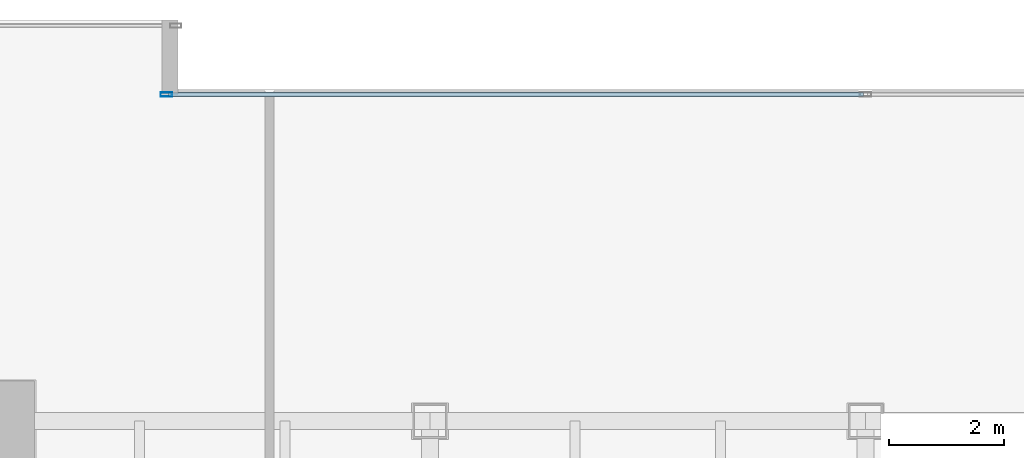
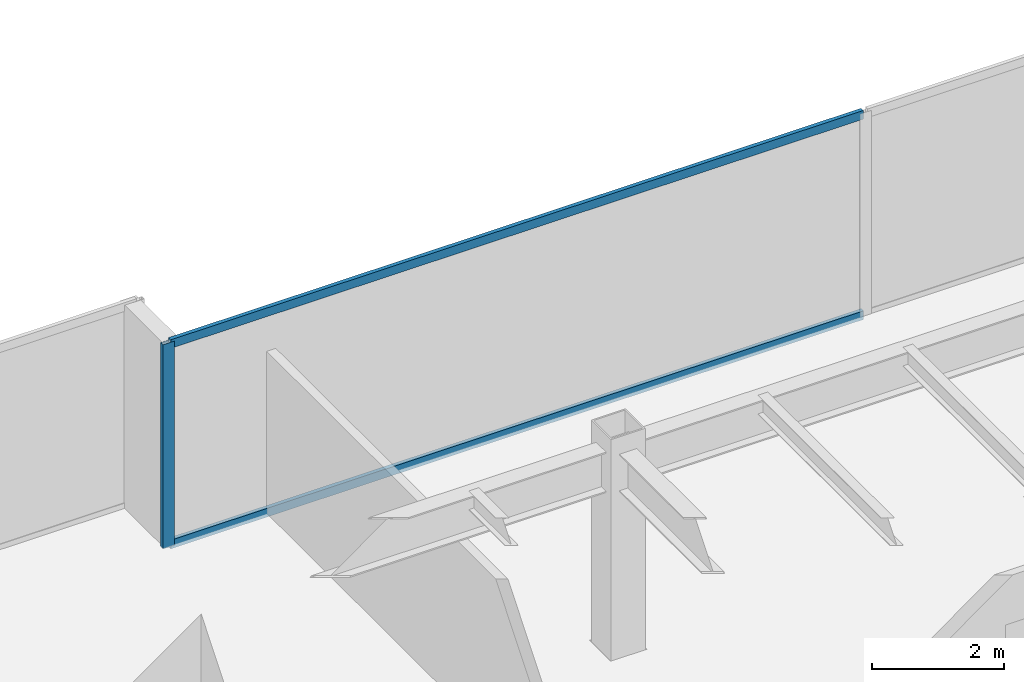
# One storey, part 14 of 36: 3 members, 1 element without a shape of its own.
"""IFC4 building model written with IfcOpenShell, lengths in metres."""

import ifcopenshell
import ifcopenshell.guid

model = None  # the IFC model being written
_history = None  # IfcOwnerHistory: only IFC2X3 demands one
_inside = {}  # id of a spatial element -> (the spatial element, [elements in it])
_under = {}  # id of a project, library or spatial element -> (it, [spatial elements below it])
_declared = {}  # id of a project -> (the project, [libraries it declares])
_typed = {}  # id of a type object -> (the type object, [elements of that type])
_made_of = {}  # id of a material, layer set ... -> (it, [elements and type objects made of it])


def new_model(schema):
    """Start an empty IFC model of exactly this schema.

    Asked for "IFC4X3", IfcOpenShell would pick the latest addendum, in which some entities
    have other attributes; the version numbers below select the first issue.
    IFC2X3 requires an IfcOwnerHistory on every rooted entity: one is made here for all.
    """
    global model, _history
    if schema == "IFC4X3":
        model = ifcopenshell.file(schema_version=(4, 3, 0, 0))
    else:
        model = ifcopenshell.file(schema=schema)
    _inside.clear()
    _under.clear()
    _declared.clear()
    _typed.clear()
    _made_of.clear()
    _history = None
    if model.schema == "IFC2X3":
        org = make("IfcOrganization", Name="unknown")
        user = make(
            "IfcPersonAndOrganization",
            ThePerson=make("IfcPerson", FamilyName="unknown"),
            TheOrganization=org,
        )
        app = make(
            "IfcApplication",
            ApplicationDeveloper=org,
            Version="unknown",
            ApplicationFullName="unknown",
            ApplicationIdentifier="unknown",
        )
        _history = make(
            "IfcOwnerHistory",
            OwningUser=user,
            OwningApplication=app,
            ChangeAction="ADDED",
            CreationDate=0,
        )
    return model


def make(cls, **values):
    """One entity of the class cls with the attributes given. An attribute that is None is left unset."""
    return model.create_entity(
        cls, **{name: value for name, value in values.items() if value is not None}
    )


def rooted(cls, **values):
    """An entity with a GlobalId (a new one), such as an element, a storey or a relation."""
    return make(cls, GlobalId=ifcopenshell.guid.new(), OwnerHistory=_history, **values)


def si_unit(unit_type, name, prefix=None):
    """IfcSIUnit, for example si_unit("LENGTHUNIT", "METRE", prefix="MILLI")."""
    return make("IfcSIUnit", UnitType=unit_type, Prefix=prefix, Name=name)


def assignment(units):
    """IfcUnitAssignment: the units of a project."""
    return None if units is None else make("IfcUnitAssignment", Units=units)


def point(xyz):
    """IfcCartesianPoint."""
    return None if xyz is None else make("IfcCartesianPoint", Coordinates=xyz)


def direction(xyz):
    """IfcDirection."""
    return None if xyz is None else make("IfcDirection", DirectionRatios=xyz)


def frame(location, z_axis=None, x_axis=None):
    """IfcAxis2Placement3D, a coordinate frame: its origin and axes. An axis left out is left unset."""
    return make(
        "IfcAxis2Placement3D",
        Location=point(location),
        Axis=direction(z_axis),
        RefDirection=direction(x_axis),
    )


def frame_2d(location, x_axis=None):
    """IfcAxis2Placement2D, a coordinate frame in the plane: its origin and x axis."""
    return make(
        "IfcAxis2Placement2D", Location=point(location), RefDirection=direction(x_axis)
    )


def origin():
    """The frame at (0, 0, 0) with its axes left unset."""
    return frame((0.0, 0.0, 0.0))


def origin_2d():
    """The frame at (0, 0) in the plane with its x axis left unset."""
    return frame_2d((0.0, 0.0))


def place(relative_to, where):
    """IfcLocalPlacement: puts the frame where relative to a parent placement (None: the world)."""
    return make(
        "IfcLocalPlacement", PlacementRelTo=relative_to, RelativePlacement=where
    )


def context(
    kind, dimensions, precision=None, world=None, true_north=None, identifier=None
):
    """IfcGeometricRepresentationContext, for example the 3D "Model" context."""
    return make(
        "IfcGeometricRepresentationContext",
        ContextIdentifier=identifier,
        ContextType=kind,
        CoordinateSpaceDimension=dimensions,
        Precision=precision,
        WorldCoordinateSystem=world,
        TrueNorth=true_north,
    )


def subcontext(parent, identifier, kind, view, scale=None):
    """IfcGeometricRepresentationSubContext, for example "Body" below "Model"."""
    return make(
        "IfcGeometricRepresentationSubContext",
        ContextIdentifier=identifier,
        ContextType=kind,
        ParentContext=parent,
        TargetScale=scale,
        TargetView=view,
    )


def project(units=None, contexts=None):
    """IfcProject with its units and contexts."""
    return rooted(
        "IfcProject",
        Name="project",
        RepresentationContexts=contexts,
        UnitsInContext=assignment(units),
    )


def spatial(cls, under=None, at=None, **own):
    """A site, building, storey or space (cls), placed at a placement, below another one or the project."""
    s = rooted(cls, ObjectPlacement=at, **own)
    if under is not None:
        _under.setdefault(under.id(), (under, []))[1].append(s)
    return s


def profile(cls, at=None, kind="AREA", **sizes):
    """A parametric profile (cls). Its sizes go by their IFC names, for example OverallWidth=200.0."""
    return make(cls, ProfileType=kind, Position=at, **sizes)


def hollow_rectangle(**sizes):
    """IfcRectangleHollowProfileDef."""
    return profile("IfcRectangleHollowProfileDef", **sizes)


def extrude(swept, where, along, depth):
    """IfcExtrudedAreaSolid: the profile swept, set in the frame where, extruded along a direction by depth."""
    return make(
        "IfcExtrudedAreaSolid",
        SweptArea=swept,
        Position=where,
        ExtrudedDirection=direction(along),
        Depth=depth,
    )


def shape(context_of_items, identifier, shape_type, items):
    """IfcShapeRepresentation: the items that make up one representation, for example the "Body"."""
    return make(
        "IfcShapeRepresentation",
        ContextOfItems=context_of_items,
        RepresentationIdentifier=identifier,
        RepresentationType=shape_type,
        Items=items,
    )


def source(mapping_origin, context_of_items, identifier, shape_type, items):
    """IfcRepresentationMap: a shape defined once, which mapped items show again and again."""
    return make(
        "IfcRepresentationMap",
        MappingOrigin=mapping_origin,
        MappedRepresentation=shape(context_of_items, identifier, shape_type, items),
    )


def transform(
    local_origin,
    x_axis=None,
    y_axis=None,
    z_axis=None,
    scale=None,
    scale2=None,
    scale3=None,
    uniform=True,
):
    """IfcCartesianTransformationOperator3D, or its non-uniform kind. x_axis, y_axis, z_axis: its Axis1, 2, 3."""
    if uniform:
        return make(
            "IfcCartesianTransformationOperator3D",
            Axis1=direction(x_axis),
            Axis2=direction(y_axis),
            LocalOrigin=point(local_origin),
            Scale=scale,
            Axis3=direction(z_axis),
        )
    return make(
        "IfcCartesianTransformationOperator3DnonUniform",
        Axis1=direction(x_axis),
        Axis2=direction(y_axis),
        LocalOrigin=point(local_origin),
        Scale=scale,
        Axis3=direction(z_axis),
        Scale2=scale2,
        Scale3=scale3,
    )


def mapped(mapping_source, mapping_target):
    """IfcMappedItem: shows the shape of a source again, moved by a transform."""
    return make(
        "IfcMappedItem", MappingSource=mapping_source, MappingTarget=mapping_target
    )


def material(Name=None, Category=None):
    """IfcMaterial."""
    return make("IfcMaterial", Name=Name, Category=Category)


def layer(
    of_material, thickness, ventilated=None, Name=None, Category=None, Priority=None
):
    """IfcMaterialLayer: one layer of a wall or slab, of a material (None: an air gap)."""
    return make(
        "IfcMaterialLayer",
        Material=of_material,
        LayerThickness=thickness,
        IsVentilated=ventilated,
        Name=Name,
        Category=Category,
        Priority=Priority,
    )


def layer_set(layers, Name=None):
    """IfcMaterialLayerSet."""
    return make("IfcMaterialLayerSet", MaterialLayers=layers, LayerSetName=Name)


def material_profile(
    of_material, cross_section, Name=None, Category=None, Priority=None
):
    """IfcMaterialProfile: a cross section and its material."""
    return make(
        "IfcMaterialProfile",
        Name=Name,
        Material=of_material,
        Profile=cross_section,
        Priority=Priority,
        Category=Category,
    )


def profile_set(profiles, Name=None, composite=None):
    """IfcMaterialProfileSet."""
    return make(
        "IfcMaterialProfileSet",
        Name=Name,
        MaterialProfiles=profiles,
        CompositeProfile=composite,
    )


def made_of(thing, what):
    """Note that an element or type object is made of a material, layer set ...; save() writes the relation."""
    if what is not None:
        _made_of.setdefault(what.id(), (what, []))[1].append(thing)
    return thing


def type_object(cls, material=None, **own):
    """A type object (cls), such as IfcWallType, which elements share."""
    return made_of(rooted(cls, **own), material)


def type_shapes(of_type, sources):
    """Give a type object the sources (RepresentationMaps) that its elements show as mapped items."""
    of_type.RepresentationMaps = sources


def element(
    cls,
    number,
    at=None,
    inside=None,
    cuts=None,
    type_object=None,
    material=None,
    context=None,
    identifier="Body",
    shape_type=None,
    held_by="IfcProductDefinitionShape",
    body=None,
    shapes=None,
    **own,
):
    """One element of the class cls, such as IfcWall. Its Tag is "e" and its number.

    at: its placement. inside: the storey or other place that contains it. cuts: it is an
    opening in that element (IfcRelVoidsElement). A single representation is given by context,
    identifier, shape_type and body (its items); several are given by shapes. held_by: the class
    of the entity that holds the representations. save() writes the other relations.
    """
    e = rooted(cls, Tag="e%d" % number, ObjectPlacement=at, **own)
    if body is not None:
        shapes = [shape(context, identifier, shape_type, body)]
    if shapes is not None:
        e.Representation = make(held_by, Representations=shapes)
    if inside is not None:
        _inside.setdefault(inside.id(), (inside, []))[1].append(e)
    if cuts is not None:
        rooted(
            "IfcRelVoidsElement", RelatingBuildingElement=cuts, RelatedOpeningElement=e
        )
    if type_object is not None:
        _typed.setdefault(type_object.id(), (type_object, []))[1].append(e)
    return made_of(e, material)


def aggregate(whole, parts):
    """IfcRelAggregates: a whole, such as a stair, and the parts it consists of."""
    return rooted("IfcRelAggregates", RelatingObject=whole, RelatedObjects=parts)


def save(model, path):
    """Write the relations noted so far, then the file.

    IfcRelAggregates (storeys below a building ...), IfcRelContainedInSpatialStructure (elements
    in a storey), IfcRelDefinesByType, IfcRelAssociatesMaterial and IfcRelDeclares: one each for
    every whole, place, type object, material and project.
    """
    for whole, parts in _under.values():
        aggregate(whole, parts)
    for where, things in _inside.values():
        rooted(
            "IfcRelContainedInSpatialStructure",
            RelatedElements=things,
            RelatingStructure=where,
        )
    for kind, things in _typed.values():
        rooted("IfcRelDefinesByType", RelatedObjects=things, RelatingType=kind)
    for what, things in _made_of.values():
        rooted("IfcRelAssociatesMaterial", RelatedObjects=things, RelatingMaterial=what)
    for by, libraries in _declared.values():
        rooted("IfcRelDeclares", RelatingContext=by, RelatedDefinitions=libraries)
    model.write(path)


model = new_model("IFC4")

# Units and contexts
model_context = context("Model", 3, precision=1e-05, world=origin(), true_north=direction((0.0, 1.0)))
body_context = subcontext(model_context, "Body", "Model", "MODEL_VIEW")
ifc_project = project(units=[si_unit("LENGTHUNIT", "METRE"), si_unit("AREAUNIT", "SQUARE_METRE"), si_unit("VOLUMEUNIT", "CUBIC_METRE"), si_unit("PLANEANGLEUNIT", "RADIAN"), si_unit("MASSUNIT", "GRAM", prefix="KILO")], contexts=[model_context])

# Site, building, storey
site_placement = place(None, origin())
site = spatial("IfcSite", under=ifc_project, at=site_placement, CompositionType="ELEMENT")
building_placement = place(site_placement, origin())
building = spatial("IfcBuilding", under=site, at=building_placement, Name="Haelvirn Gate Laboratories", CompositionType="ELEMENT")
storey_placement = place(building_placement, frame((0.0, 0.0, 49.800048828125)))
storey = spatial("IfcBuildingStorey", under=building, at=storey_placement, Name="L12", CompositionType="ELEMENT", Elevation=49.800048828125)

# Curtain wall, members
ifc_material_1 = material(Name="Anodised bronze unitised aluminium & triple low-E glass", Category="aluminium")
ifc_layer = layer(ifc_material_1, 0.18408203125, Name="CW-SYS-2")
ifc_layer_set = layer_set([ifc_layer], Name="Anodised bronze unitised aluminium & triple low-E glass")
curtain_wall_type = type_object("IfcCurtainWallType", Name="CW-SYS-2", PredefinedType="NOTDEFINED", material=ifc_layer_set)
curtain_wall_placement = place(storey_placement, origin())
curtain_wall = element("IfcCurtainWall", 1, at=curtain_wall_placement, inside=storey, type_object=curtain_wall_type, Name="L12 Unitised Curtain Wall CW-L12-P0-E12-1", PredefinedType="NOTDEFINED")
ifc_material_2 = material(Name="Extruded aluminium 6063-T6 (anodised bronze)", Category="aluminium")
ifc_material_profile_1 = material_profile(ifc_material_2, hollow_rectangle(XDim=0.074951171875, YDim=0.199951171875, WallThickness=0.0048828125, at=origin_2d()), Name="CWM-200x75x5")
ifc_profile_set_1 = profile_set([ifc_material_profile_1], Name="Extruded aluminium 6063-T6 (anodised bronze)")
member_type_1 = type_object("IfcMemberType", Name="CWM-T200", PredefinedType="MULLION", material=ifc_profile_set_1)
shared_shape_1 = source(origin(), body_context, "Body", "SweptSolid", [
    extrude(hollow_rectangle(XDim=0.074951171875, YDim=0.199951171875, WallThickness=0.0048828125, at=origin_2d()), origin(), (0.0, 0.0, 1.0), 3.780029296875),
])
type_shapes(member_type_1, [shared_shape_1])
member_1_placement = place(storey_placement, frame((25.197509765625, 47.300048828125, 0.0), z_axis=(0.0, 0.0, 1.0), x_axis=(0.0, 1.0, 0.0)))
member_1 = element("IfcMember", 2, at=member_1_placement, type_object=member_type_1, Name="CW2 mullion 1", PredefinedType="MULLION", context=body_context, shape_type="MappedRepresentation", body=[
    mapped(shared_shape_1, transform((0.0, 0.0, 0.0), scale=1.0)),
])
ifc_material_profile_2 = material_profile(ifc_material_2, hollow_rectangle(XDim=0.070068359375, YDim=0.159912109375, WallThickness=0.0048828125, at=origin_2d()), Name="CWT-160x70x5")
ifc_profile_set_2 = profile_set([ifc_material_profile_2], Name="Extruded aluminium 6063-T6 (anodised bronze)")
member_type_2 = type_object("IfcMemberType", Name="CWT-T160", PredefinedType="USERDEFINED", material=ifc_profile_set_2)
shared_shape_2 = source(origin(), body_context, "Body", "SweptSolid", [
    extrude(hollow_rectangle(XDim=0.070068359375, YDim=0.159912109375, WallThickness=0.0048828125, at=origin_2d()), origin(), (0.0, 0.0, 1.0), 12.12744140625),
])
type_shapes(member_type_2, [shared_shape_2])
member_2_placement = place(storey_placement, frame((25.235107421875, 47.300048828125, 0.034912109375), z_axis=(1.0, 0.0, 0.0), x_axis=(0.0, 1.0, 0.0)))
member_2 = element("IfcMember", 3, at=member_2_placement, type_object=member_type_2, Name="CW2 transom 1.1", ObjectType="TRANSOM", PredefinedType="USERDEFINED", context=body_context, shape_type="MappedRepresentation", body=[
    mapped(shared_shape_2, transform((0.0, 0.0, 0.0), scale=1.0)),
])
member_3_placement = place(storey_placement, frame((25.235107421875, 47.300048828125, 3.744873046875), z_axis=(1.0, 0.0, 0.0), x_axis=(0.0, 1.0, 0.0)))
member_3 = element("IfcMember", 4, at=member_3_placement, type_object=member_type_2, Name="CW2 transom 1.2", ObjectType="TRANSOM", PredefinedType="USERDEFINED", context=body_context, shape_type="MappedRepresentation", body=[
    mapped(shared_shape_2, transform((0.0, 0.0, 0.0), scale=1.0)),
])
aggregate(curtain_wall, [member_1, member_2, member_3])

save(model, "model.ifc")
